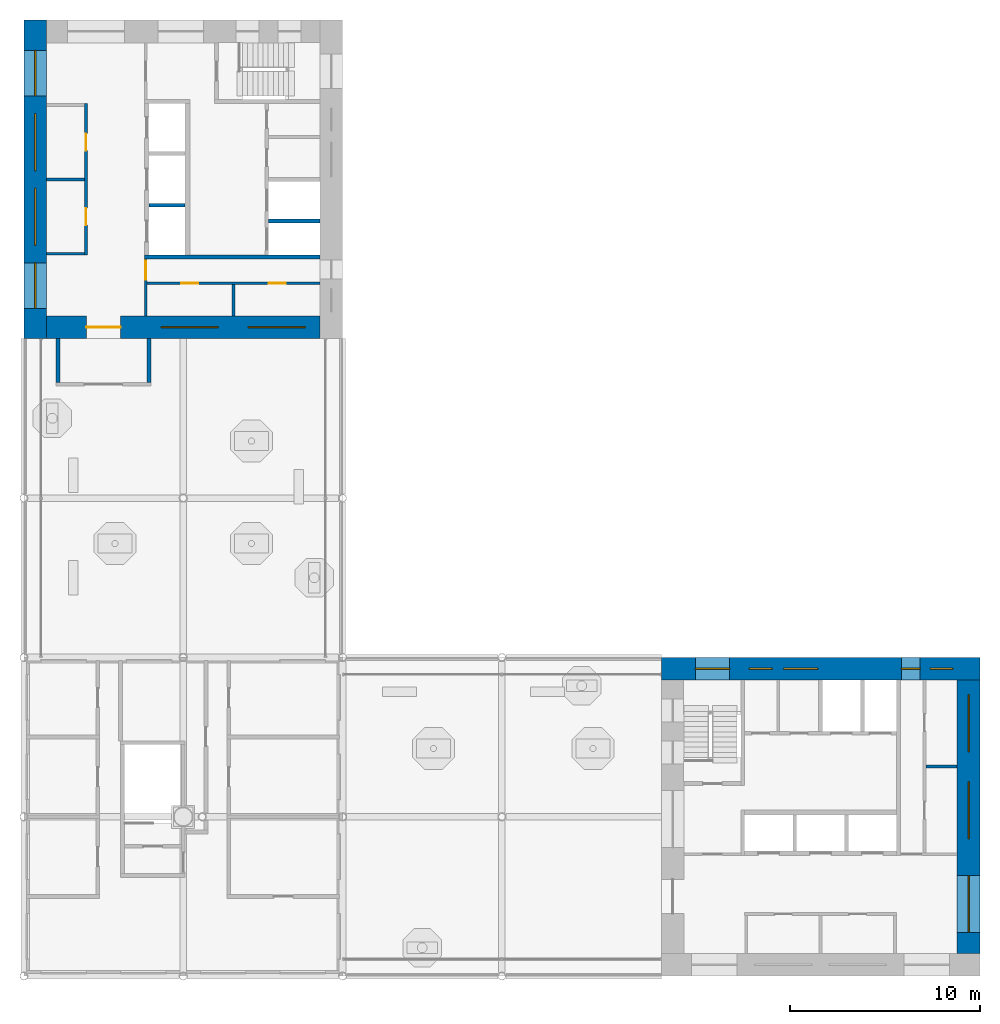
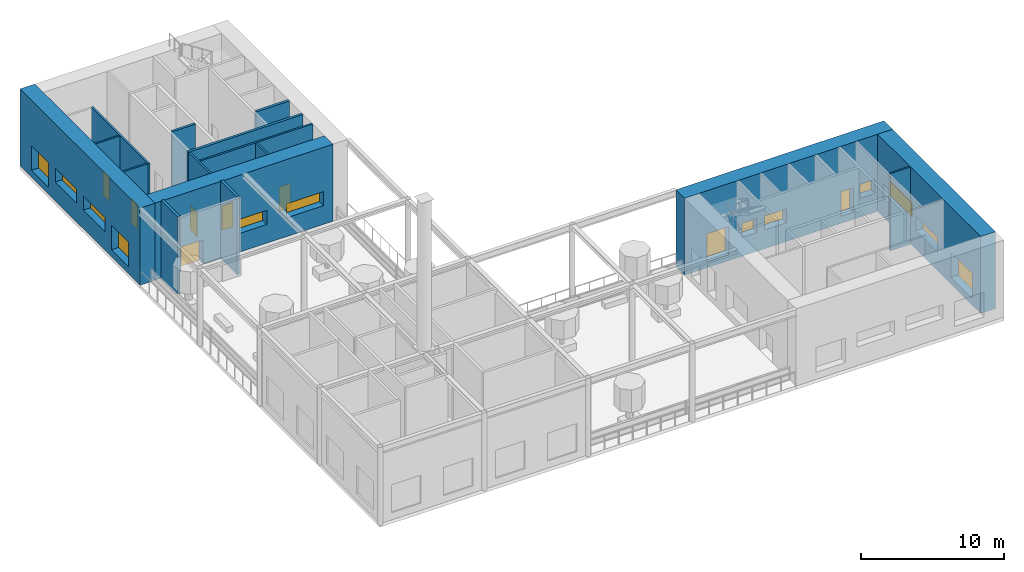
# One storey, part 10 of 15: 16 walls, 14 windows, 6 doors, 20 openings.
"""IFC4 building model written with IfcOpenShell, lengths in metres."""

import ifcopenshell
import ifcopenshell.guid

model = None  # the IFC model being written
_history = None  # IfcOwnerHistory: only IFC2X3 demands one
_inside = {}  # id of a spatial element -> (the spatial element, [elements in it])
_under = {}  # id of a project, library or spatial element -> (it, [spatial elements below it])
_declared = {}  # id of a project -> (the project, [libraries it declares])
_typed = {}  # id of a type object -> (the type object, [elements of that type])
_made_of = {}  # id of a material, layer set ... -> (it, [elements and type objects made of it])


def new_model(schema):
    """Start an empty IFC model of exactly this schema.

    Asked for "IFC4X3", IfcOpenShell would pick the latest addendum, in which some entities
    have other attributes; the version numbers below select the first issue.
    IFC2X3 requires an IfcOwnerHistory on every rooted entity: one is made here for all.
    """
    global model, _history
    if schema == "IFC4X3":
        model = ifcopenshell.file(schema_version=(4, 3, 0, 0))
    else:
        model = ifcopenshell.file(schema=schema)
    _inside.clear()
    _under.clear()
    _declared.clear()
    _typed.clear()
    _made_of.clear()
    _history = None
    if model.schema == "IFC2X3":
        org = make("IfcOrganization", Name="unknown")
        user = make(
            "IfcPersonAndOrganization",
            ThePerson=make("IfcPerson", FamilyName="unknown"),
            TheOrganization=org,
        )
        app = make(
            "IfcApplication",
            ApplicationDeveloper=org,
            Version="unknown",
            ApplicationFullName="unknown",
            ApplicationIdentifier="unknown",
        )
        _history = make(
            "IfcOwnerHistory",
            OwningUser=user,
            OwningApplication=app,
            ChangeAction="ADDED",
            CreationDate=0,
        )
    return model


def make(cls, **values):
    """One entity of the class cls with the attributes given. An attribute that is None is left unset."""
    return model.create_entity(
        cls, **{name: value for name, value in values.items() if value is not None}
    )


def rooted(cls, **values):
    """An entity with a GlobalId (a new one), such as an element, a storey or a relation."""
    return make(cls, GlobalId=ifcopenshell.guid.new(), OwnerHistory=_history, **values)


def si_unit(unit_type, name, prefix=None):
    """IfcSIUnit, for example si_unit("LENGTHUNIT", "METRE", prefix="MILLI")."""
    return make("IfcSIUnit", UnitType=unit_type, Prefix=prefix, Name=name)


def assignment(units):
    """IfcUnitAssignment: the units of a project."""
    return None if units is None else make("IfcUnitAssignment", Units=units)


def point(xyz):
    """IfcCartesianPoint."""
    return None if xyz is None else make("IfcCartesianPoint", Coordinates=xyz)


def direction(xyz):
    """IfcDirection."""
    return None if xyz is None else make("IfcDirection", DirectionRatios=xyz)


def frame(location, z_axis=None, x_axis=None):
    """IfcAxis2Placement3D, a coordinate frame: its origin and axes. An axis left out is left unset."""
    return make(
        "IfcAxis2Placement3D",
        Location=point(location),
        Axis=direction(z_axis),
        RefDirection=direction(x_axis),
    )


def frame_2d(location, x_axis=None):
    """IfcAxis2Placement2D, a coordinate frame in the plane: its origin and x axis."""
    return make(
        "IfcAxis2Placement2D", Location=point(location), RefDirection=direction(x_axis)
    )


def origin():
    """The frame at (0, 0, 0) with its axes left unset."""
    return frame((0.0, 0.0, 0.0))


def place(relative_to, where):
    """IfcLocalPlacement: puts the frame where relative to a parent placement (None: the world)."""
    return make(
        "IfcLocalPlacement", PlacementRelTo=relative_to, RelativePlacement=where
    )


def context(
    kind, dimensions, precision=None, world=None, true_north=None, identifier=None
):
    """IfcGeometricRepresentationContext, for example the 3D "Model" context."""
    return make(
        "IfcGeometricRepresentationContext",
        ContextIdentifier=identifier,
        ContextType=kind,
        CoordinateSpaceDimension=dimensions,
        Precision=precision,
        WorldCoordinateSystem=world,
        TrueNorth=true_north,
    )


def subcontext(parent, identifier, kind, view, scale=None):
    """IfcGeometricRepresentationSubContext, for example "Body" below "Model"."""
    return make(
        "IfcGeometricRepresentationSubContext",
        ContextIdentifier=identifier,
        ContextType=kind,
        ParentContext=parent,
        TargetScale=scale,
        TargetView=view,
    )


def project(units=None, contexts=None):
    """IfcProject with its units and contexts."""
    return rooted(
        "IfcProject",
        Name="project",
        RepresentationContexts=contexts,
        UnitsInContext=assignment(units),
    )


def spatial(cls, under=None, at=None, **own):
    """A site, building, storey or space (cls), placed at a placement, below another one or the project."""
    s = rooted(cls, ObjectPlacement=at, **own)
    if under is not None:
        _under.setdefault(under.id(), (under, []))[1].append(s)
    return s


def profile(cls, at=None, kind="AREA", **sizes):
    """A parametric profile (cls). Its sizes go by their IFC names, for example OverallWidth=200.0."""
    return make(cls, ProfileType=kind, Position=at, **sizes)


def rectangle(**sizes):
    """IfcRectangleProfileDef."""
    return profile("IfcRectangleProfileDef", **sizes)


def extrude(swept, where, along, depth):
    """IfcExtrudedAreaSolid: the profile swept, set in the frame where, extruded along a direction by depth."""
    return make(
        "IfcExtrudedAreaSolid",
        SweptArea=swept,
        Position=where,
        ExtrudedDirection=direction(along),
        Depth=depth,
    )


def shape(context_of_items, identifier, shape_type, items):
    """IfcShapeRepresentation: the items that make up one representation, for example the "Body"."""
    return make(
        "IfcShapeRepresentation",
        ContextOfItems=context_of_items,
        RepresentationIdentifier=identifier,
        RepresentationType=shape_type,
        Items=items,
    )


def material(Name=None, Category=None):
    """IfcMaterial."""
    return make("IfcMaterial", Name=Name, Category=Category)


def layer(
    of_material, thickness, ventilated=None, Name=None, Category=None, Priority=None
):
    """IfcMaterialLayer: one layer of a wall or slab, of a material (None: an air gap)."""
    return make(
        "IfcMaterialLayer",
        Material=of_material,
        LayerThickness=thickness,
        IsVentilated=ventilated,
        Name=Name,
        Category=Category,
        Priority=Priority,
    )


def layer_set(layers, Name=None):
    """IfcMaterialLayerSet."""
    return make("IfcMaterialLayerSet", MaterialLayers=layers, LayerSetName=Name)


def made_of(thing, what):
    """Note that an element or type object is made of a material, layer set ...; save() writes the relation."""
    if what is not None:
        _made_of.setdefault(what.id(), (what, []))[1].append(thing)
    return thing


def type_object(cls, material=None, **own):
    """A type object (cls), such as IfcWallType, which elements share."""
    return made_of(rooted(cls, **own), material)


def element(
    cls,
    number,
    at=None,
    inside=None,
    cuts=None,
    type_object=None,
    material=None,
    context=None,
    identifier="Body",
    shape_type=None,
    held_by="IfcProductDefinitionShape",
    body=None,
    shapes=None,
    **own,
):
    """One element of the class cls, such as IfcWall. Its Tag is "e" and its number.

    at: its placement. inside: the storey or other place that contains it. cuts: it is an
    opening in that element (IfcRelVoidsElement). A single representation is given by context,
    identifier, shape_type and body (its items); several are given by shapes. held_by: the class
    of the entity that holds the representations. save() writes the other relations.
    """
    e = rooted(cls, Tag="e%d" % number, ObjectPlacement=at, **own)
    if body is not None:
        shapes = [shape(context, identifier, shape_type, body)]
    if shapes is not None:
        e.Representation = make(held_by, Representations=shapes)
    if inside is not None:
        _inside.setdefault(inside.id(), (inside, []))[1].append(e)
    if cuts is not None:
        rooted(
            "IfcRelVoidsElement", RelatingBuildingElement=cuts, RelatedOpeningElement=e
        )
    if type_object is not None:
        _typed.setdefault(type_object.id(), (type_object, []))[1].append(e)
    return made_of(e, material)


def fill(opening, filler):
    """IfcRelFillsElement: the door or window that sits in an opening."""
    return rooted(
        "IfcRelFillsElement",
        RelatingOpeningElement=opening,
        RelatedBuildingElement=filler,
    )


def aggregate(whole, parts):
    """IfcRelAggregates: a whole, such as a stair, and the parts it consists of."""
    return rooted("IfcRelAggregates", RelatingObject=whole, RelatedObjects=parts)


def save(model, path):
    """Write the relations noted so far, then the file.

    IfcRelAggregates (storeys below a building ...), IfcRelContainedInSpatialStructure (elements
    in a storey), IfcRelDefinesByType, IfcRelAssociatesMaterial and IfcRelDeclares: one each for
    every whole, place, type object, material and project.
    """
    for whole, parts in _under.values():
        aggregate(whole, parts)
    for where, things in _inside.values():
        rooted(
            "IfcRelContainedInSpatialStructure",
            RelatedElements=things,
            RelatingStructure=where,
        )
    for kind, things in _typed.values():
        rooted("IfcRelDefinesByType", RelatedObjects=things, RelatingType=kind)
    for what, things in _made_of.values():
        rooted("IfcRelAssociatesMaterial", RelatedObjects=things, RelatingMaterial=what)
    for by, libraries in _declared.values():
        rooted("IfcRelDeclares", RelatingContext=by, RelatedDefinitions=libraries)
    model.write(path)


model = new_model("IFC4")

# Units and contexts
model_context = context("Model", 3, precision=1e-05, world=origin(), true_north=direction((0.0, 1.0)))
body_context = subcontext(model_context, "Body", "Model", "MODEL_VIEW")
ifc_project = project(units=[si_unit("LENGTHUNIT", "METRE"), si_unit("AREAUNIT", "SQUARE_METRE"), si_unit("VOLUMEUNIT", "CUBIC_METRE"), si_unit("PLANEANGLEUNIT", "RADIAN"), si_unit("MASSUNIT", "GRAM", prefix="KILO")], contexts=[model_context])

# Site, building, storey
site_placement = place(None, origin())
site = spatial("IfcSite", under=ifc_project, at=site_placement, CompositionType="ELEMENT")
building_placement = place(site_placement, origin())
building = spatial("IfcBuilding", under=site, at=building_placement, Name="Vermilion Gate Residences", CompositionType="ELEMENT")
storey_placement = place(building_placement, frame((0.0, 0.0, 277.199951171875)))
storey = spatial("IfcBuildingStorey", under=building, at=storey_placement, Name="L73", CompositionType="ELEMENT", Elevation=277.199951171875)

# Walls
ifc_material_1 = material(Name="Masonry blockwork", Category="masonry")
ifc_layer_1 = layer(ifc_material_1, 0.14990234375)
ifc_layer_set_1 = layer_set([ifc_layer_1], Name="BLOCKWORK PARTITION 150 EI 120")
wall_type_1 = type_object("IfcWallType", Name="BLOCKWORK PARTITION 150 EI 120", PredefinedType="PARTITIONING", material=ifc_layer_set_1)
wall_1_placement = place(storey_placement, frame((55.949951171875, 19.449951171875, 0.0), z_axis=(0.0, 0.0, 1.0), x_axis=(1.0, 0.0, 0.0)))
element("IfcWall", 1, at=wall_1_placement, inside=storey, type_object=wall_type_1, Name="Core room partition A73-ES-P0", PredefinedType="PARTITIONING", context=body_context, shape_type="SweptSolid", body=[
    extrude(rectangle(XDim=1.650146484375, YDim=0.14990234375, at=frame_2d((0.8251953125, 0.0))), origin(), (0.0, 0.0, 1.0), 6.580078125),
])
for number, where, z_axis, x_axis, name in (
    (2, (9.60009765625, 46.47509765625, 0.0), (0.0, 0.0, 1.0), (1.0, 0.0, 0.0), "Core room partition B73-RW-E"),
    (3, (9.60009765625, 50.39990234375, 0.0), (0.0, 0.0, 1.0), (1.0, 0.0, 0.0), "Core room partition B73-SR-P0"),
):
    element("IfcWall", number, at=place(storey_placement, frame(where, z_axis=z_axis, x_axis=x_axis)), inside=storey, type_object=wall_type_1, Name=name, PredefinedType="PARTITIONING", context=body_context, shape_type="SweptSolid", body=[
        extrude(rectangle(XDim=2.0, YDim=0.14990234375, at=frame_2d((1.0, 0.0))), origin(), (0.0, 0.0, 1.0), 6.580078125),
    ])

# Wall, openings, doors
wall_2_placement = place(storey_placement, frame((11.675048828125, 54.39990234375, 0.0), z_axis=(0.0, 0.0, 1.0), x_axis=(0.0, -1.0, 0.0)))
wall_2 = element("IfcWall", 4, at=wall_2_placement, inside=storey, type_object=wall_type_1, Name="Core room partition B73-LR-F", PredefinedType="PARTITIONING", context=body_context, shape_type="SweptSolid", body=[
    extrude(rectangle(XDim=8.0, YDim=0.14990234375, at=frame_2d((4.0, 0.0))), origin(), (0.0, 0.0, 1.0), 6.580078125),
])
opening_1_placement = place(wall_2_placement, frame((1.58740234375, 0.0, 0.0)))
opening_1 = element("IfcOpeningElement", 5, at=opening_1_placement, cuts=wall_2, Name="Opening DK73102", PredefinedType="OPENING", context=body_context, shape_type="SweptSolid", body=[
    extrude(rectangle(XDim=0.89990234375, YDim=2.10009765625, at=frame_2d((0.449951171875, 1.050048828125))), frame((0.0, 0.0849609375, 0.0), z_axis=(0.0, -1.0, 0.0), x_axis=(1.0, 0.0, 0.0)), (0.0, 0.0, 1.0), 0.169921875),
])
opening_2_placement = place(wall_2_placement, frame((5.512451171875, 0.0, 0.0)))
opening_2 = element("IfcOpeningElement", 6, at=opening_2_placement, cuts=wall_2, Name="Opening DK73103", PredefinedType="OPENING", context=body_context, shape_type="SweptSolid", body=[
    extrude(rectangle(XDim=0.89990234375, YDim=2.10009765625, at=frame_2d((0.449951171875, 1.050048828125))), frame((0.0, 0.0849609375, 0.0), z_axis=(0.0, -1.0, 0.0), x_axis=(1.0, 0.0, 0.0)), (0.0, 0.0, 1.0), 0.169921875),
])
ifc_material_2 = material(Name="Steel", Category="steel")
door_type_1 = type_object("IfcDoorType", Name="SERVICE ROOM DOOR FD60 900 X 2100", OperationType="SINGLE_SWING_LEFT", PredefinedType="DOOR", material=ifc_material_2)
door_1_placement = place(opening_1_placement, frame((0.89990234375, 0.0, 0.0), z_axis=(0.0, 0.0, 1.0), x_axis=(-1.0, 0.0, 0.0)))
door_1 = element("IfcDoor", 7, at=door_1_placement, inside=storey, type_object=door_type_1, Name="Housekeeping store B73", OperationType="SINGLE_SWING_RIGHT", OverallHeight=2.10009765625, OverallWidth=0.89990234375, PredefinedType="DOOR", context=body_context, shape_type="SweptSolid", body=[
    extrude(rectangle(XDim=0.89990234375, YDim=2.10009765625, at=frame_2d((0.449951171875, 1.050048828125))), frame((0.0, 0.02490234375, 0.0), z_axis=(0.0, -1.0, 0.0), x_axis=(1.0, 0.0, 0.0)), (0.0, 0.0, 1.0), 0.050048828125),
])
fill(opening_1, door_1)
door_2_placement = place(opening_2_placement, frame((0.89990234375, 0.0, 0.0), z_axis=(0.0, 0.0, 1.0), x_axis=(-1.0, 0.0, 0.0)))
door_2 = element("IfcDoor", 8, at=door_2_placement, inside=storey, type_object=door_type_1, Name="Fire equipment store B73", OperationType="SINGLE_SWING_LEFT", OverallHeight=2.10009765625, OverallWidth=0.89990234375, PredefinedType="DOOR", context=body_context, shape_type="SweptSolid", body=[
    extrude(rectangle(XDim=0.89990234375, YDim=2.10009765625, at=frame_2d((0.449951171875, 1.050048828125))), frame((0.0, 0.02490234375, 0.0), z_axis=(0.0, -1.0, 0.0), x_axis=(1.0, 0.0, 0.0)), (0.0, 0.0, 1.0), 0.050048828125),
])
fill(opening_2, door_2)

# Wall, opening, door
wall_3_placement = place(storey_placement, frame((14.824951171875, 46.199951171875, 0.0), z_axis=(0.0, 0.0, 1.0), x_axis=(0.0, -1.0, 0.0)))
wall_3 = element("IfcWall", 9, at=wall_3_placement, inside=storey, type_object=wall_type_1, Name="Core room partition B73-ES-S", PredefinedType="PARTITIONING", context=body_context, shape_type="SweptSolid", body=[
    extrude(rectangle(XDim=3.0, YDim=0.14990234375, at=frame_2d((1.5, 0.0))), origin(), (0.0, 0.0, 1.0), 6.580078125),
])
opening_3_placement = place(wall_3_placement, frame((0.10009765625, 0.0, 0.0)))
opening_3 = element("IfcOpeningElement", 10, at=opening_3_placement, cuts=wall_3, Name="Opening DK73113", PredefinedType="OPENING", context=body_context, shape_type="SweptSolid", body=[
    extrude(rectangle(XDim=1.0, YDim=2.10009765625, at=frame_2d((0.5, 1.050048828125))), frame((0.0, 0.0849609375, 0.0), z_axis=(0.0, -1.0, 0.0), x_axis=(1.0, 0.0, 0.0)), (0.0, 0.0, 1.0), 0.169921875),
])
ifc_material_3 = material(Name="Steel", Category="steel")
door_type_2 = type_object("IfcDoorType", Name="FIRE DOOR FD60 1000 X 2100", OperationType="SINGLE_SWING_LEFT", PredefinedType="DOOR", material=ifc_material_3)
door_3_placement = place(opening_3_placement, frame((1.0, 0.0, 0.0), z_axis=(0.0, 0.0, 1.0), x_axis=(-1.0, 0.0, 0.0)))
door_3 = element("IfcDoor", 11, at=door_3_placement, inside=storey, type_object=door_type_2, Name="Service corridor door B73", OperationType="SINGLE_SWING_LEFT", OverallHeight=2.10009765625, OverallWidth=1.0, PredefinedType="DOOR", context=body_context, shape_type="SweptSolid", body=[
    extrude(rectangle(XDim=1.0, YDim=2.10009765625, at=frame_2d((0.5, 1.050048828125))), frame((0.0, 0.02490234375, 0.0), z_axis=(0.0, -1.0, 0.0), x_axis=(1.0, 0.0, 0.0)), (0.0, 0.0, 1.0), 0.050048828125),
])
fill(opening_3, door_3)

# Wall
wall_4_placement = place(storey_placement, frame((19.449951171875, 44.85009765625, 0.0), z_axis=(0.0, 0.0, 1.0), x_axis=(0.0, -1.0, 0.0)))
element("IfcWall", 12, at=wall_4_placement, inside=storey, type_object=wall_type_1, Name="Core room partition B73-ES-P0", PredefinedType="PARTITIONING", context=body_context, shape_type="SweptSolid", body=[
    extrude(rectangle(XDim=1.650146484375, YDim=0.14990234375, at=frame_2d((0.8251953125, 0.0))), origin(), (0.0, 0.0, 1.0), 6.580078125),
])

# Wall, openings, doors
wall_5_placement = place(storey_placement, frame((14.89990234375, 44.925048828125, 0.0), z_axis=(0.0, 0.0, 1.0), x_axis=(1.0, 0.0, 0.0)))
wall_5 = element("IfcWall", 13, at=wall_5_placement, inside=storey, type_object=wall_type_1, Name="Core room partition B73-ES-W", PredefinedType="PARTITIONING", context=body_context, shape_type="SweptSolid", body=[
    extrude(rectangle(XDim=9.10009765625, YDim=0.14990234375, at=frame_2d((4.550048828125, 0.0))), origin(), (0.0, 0.0, 1.0), 6.580078125),
])
opening_4_placement = place(wall_5_placement, frame((1.78759765625, 0.0, 0.0)))
opening_4 = element("IfcOpeningElement", 14, at=opening_4_placement, cuts=wall_5, Name="Opening DK73114", PredefinedType="OPENING", context=body_context, shape_type="SweptSolid", body=[
    extrude(rectangle(XDim=0.89990234375, YDim=2.10009765625, at=frame_2d((0.449951171875, 1.050048828125))), frame((0.0, 0.0849609375, 0.0), z_axis=(0.0, -1.0, 0.0), x_axis=(1.0, 0.0, 0.0)), (0.0, 0.0, 1.0), 0.169921875),
])
opening_5_placement = place(wall_5_placement, frame((6.41259765625, 0.0, 0.0)))
opening_5 = element("IfcOpeningElement", 15, at=opening_5_placement, cuts=wall_5, Name="Opening DK73115", PredefinedType="OPENING", context=body_context, shape_type="SweptSolid", body=[
    extrude(rectangle(XDim=0.89990234375, YDim=2.10009765625, at=frame_2d((0.449951171875, 1.050048828125))), frame((0.0, 0.0849609375, 0.0), z_axis=(0.0, -1.0, 0.0), x_axis=(1.0, 0.0, 0.0)), (0.0, 0.0, 1.0), 0.169921875),
])
door_4_placement = place(opening_4_placement, frame((0.89990234375, 0.0, 0.0), z_axis=(0.0, 0.0, 1.0), x_axis=(-1.0, 0.0, 0.0)))
door_4 = element("IfcDoor", 16, at=door_4_placement, inside=storey, type_object=door_type_1, Name="Electrical room B73", OperationType="SINGLE_SWING_RIGHT", OverallHeight=2.10009765625, OverallWidth=0.89990234375, PredefinedType="DOOR", context=body_context, shape_type="SweptSolid", body=[
    extrude(rectangle(XDim=0.89990234375, YDim=2.10009765625, at=frame_2d((0.449951171875, 1.050048828125))), frame((0.0, 0.02490234375, 0.0), z_axis=(0.0, -1.0, 0.0), x_axis=(1.0, 0.0, 0.0)), (0.0, 0.0, 1.0), 0.050048828125),
])
fill(opening_4, door_4)
door_5_placement = place(opening_5_placement, frame((0.89990234375, 0.0, 0.0), z_axis=(0.0, 0.0, 1.0), x_axis=(-1.0, 0.0, 0.0)))
door_5 = element("IfcDoor", 17, at=door_5_placement, inside=storey, type_object=door_type_1, Name="Storage room B73", OperationType="SINGLE_SWING_RIGHT", OverallHeight=2.10009765625, OverallWidth=0.89990234375, PredefinedType="DOOR", context=body_context, shape_type="SweptSolid", body=[
    extrude(rectangle(XDim=0.89990234375, YDim=2.10009765625, at=frame_2d((0.449951171875, 1.050048828125))), frame((0.0, 0.02490234375, 0.0), z_axis=(0.0, -1.0, 0.0), x_axis=(1.0, 0.0, 0.0)), (0.0, 0.0, 1.0), 0.050048828125),
])
fill(opening_5, door_5)

# Walls
ifc_material_4 = material(Name="Concrete blockwork", Category="masonry")
ifc_layer_2 = layer(ifc_material_4, 0.199951171875)
ifc_layer_set_2 = layer_set([ifc_layer_2], Name="FIRE WALL 200 EI 120 (AMENITY)")
wall_type_2 = type_object("IfcWallType", Name="FIRE WALL 200 EI 120 (AMENITY)", PredefinedType="PARTITIONING", material=ifc_layer_set_2)
for number, where, z_axis, x_axis, name in (
    (18, (10.199951171875, 39.699951171875, 0.0), (0.0, 0.0, 1.0), (0.0, 1.0, 0.0), "Fire-resisting wall 4"),
    (19, (15.0, 39.699951171875, 0.0), (0.0, 0.0, 1.0), (0.0, 1.0, 0.0), "Fire-resisting wall 10"),
):
    element("IfcWall", number, at=place(storey_placement, frame(where, z_axis=z_axis, x_axis=x_axis)), inside=storey, type_object=wall_type_2, Name=name, PredefinedType="PARTITIONING", context=body_context, shape_type="SweptSolid", body=[
        extrude(rectangle(XDim=2.300048828125, YDim=0.199951171875, at=frame_2d((1.14990234375, 0.0))), origin(), (0.0, 0.0, 1.0), 6.650146484375),
    ])
ifc_material_5 = material(Name="Concrete C60", Category="concrete")
ifc_layer_3 = layer(ifc_material_5, 0.199951171875)
ifc_layer_set_3 = layer_set([ifc_layer_3], Name="RC CORE INTERNAL WALL 200 C60")
wall_type_3 = type_object("IfcWallType", Name="RC CORE INTERNAL WALL 200 C60", PredefinedType="SHEAR", material=ifc_layer_set_3)
wall_6_placement = place(storey_placement, frame((15.0, 49.033447265625, 0.0), z_axis=(0.0, 0.0, 1.0), x_axis=(1.0, 0.0, 0.0)))
element("IfcWall", 20, at=wall_6_placement, inside=storey, type_object=wall_type_3, Name="Core internal wall B73-HR-D2", PredefinedType="SHEAR", context=body_context, shape_type="SweptSolid", body=[
    extrude(rectangle(XDim=1.89990234375, YDim=0.199951171875, at=frame_2d((0.949951171875, 0.0))), origin(), (0.0, 0.0, 1.0), 6.580078125),
])
wall_7_placement = place(storey_placement, frame((21.300048828125, 48.199951171875, 0.0), z_axis=(0.0, 0.0, 1.0), x_axis=(1.0, 0.0, 0.0)))
element("IfcWall", 21, at=wall_7_placement, inside=storey, type_object=wall_type_3, Name="Core internal wall B73-FF-D1", PredefinedType="SHEAR", context=body_context, shape_type="SweptSolid", body=[
    extrude(rectangle(XDim=2.699951171875, YDim=0.199951171875, at=frame_2d((1.35009765625, 0.0))), origin(), (0.0, 0.0, 1.0), 6.580078125),
])
wall_8_placement = place(storey_placement, frame((14.75, 46.300048828125, 0.0), z_axis=(0.0, 0.0, 1.0), x_axis=(1.0, 0.0, 0.0)))
element("IfcWall", 22, at=wall_8_placement, inside=storey, type_object=wall_type_3, Name="Core internal wall B73-EDIV", PredefinedType="SHEAR", context=body_context, shape_type="SweptSolid", body=[
    extrude(rectangle(XDim=9.25, YDim=0.199951171875, at=frame_2d((4.625, 0.0))), origin(), (0.0, 0.0, 1.0), 6.580078125),
])

# Wall, openings, windows
ifc_material_6 = material(Name="Concrete C50 red-oxide pigmented", Category="concrete")
ifc_layer_4 = layer(ifc_material_6, 1.199951171875)
ifc_layer_set_4 = layer_set([ifc_layer_4], Name="RC CORE WALL 1200 C50 RED OXIDE")
wall_type_4 = type_object("IfcWallType", Name="RC CORE WALL 1200 C50 RED OXIDE", PredefinedType="SHEAR", material=ifc_layer_set_4)
wall_9_placement = place(storey_placement, frame((42.0, 24.60009765625, 0.0), z_axis=(0.0, 0.0, 1.0), x_axis=(1.0, 0.0, 0.0)))
wall_9 = element("IfcWall", 23, at=wall_9_placement, inside=storey, type_object=wall_type_4, Name="Core wall A73-OUT-B1", PredefinedType="SHEAR", context=body_context, shape_type="SweptSolid", body=[
    extrude(rectangle(XDim=16.800048828125, YDim=1.199951171875, at=frame_2d((8.39990234375, 0.0))), origin(), (0.0, 0.0, 1.0), 6.580078125),
])
opening_6_placement = place(wall_9_placement, frame((1.800048828125, 0.0, 0.5)))
opening_6 = element("IfcOpeningElement", 24, at=opening_6_placement, cuts=wall_9, Name="Opening WKA7305", PredefinedType="OPENING", context=body_context, shape_type="SweptSolid", body=[
    extrude(rectangle(XDim=1.800048828125, YDim=2.39990234375, at=frame_2d((0.89990234375, 1.199951171875))), frame((0.0, 0.60986328125, 0.0), z_axis=(0.0, -1.0, 0.0), x_axis=(1.0, 0.0, 0.0)), (0.0, 0.0, 1.0), 1.219970703125),
])
opening_7_placement = place(wall_9_placement, frame((4.643798828125, 0.0, 1.60009765625)))
opening_7 = element("IfcOpeningElement", 25, at=opening_7_placement, cuts=wall_9, Name="Opening WKA7306", PredefinedType="OPENING", context=body_context, shape_type="SweptSolid", body=[
    extrude(rectangle(XDim=1.199951171875, YDim=1.199951171875, at=frame_2d((0.60009765625, 0.60009765625))), frame((0.0, 0.60986328125, 0.0), z_axis=(0.0, -1.0, 0.0), x_axis=(1.0, 0.0, 0.0)), (0.0, 0.0, 1.0), 1.219970703125),
])
opening_8_placement = place(wall_9_placement, frame((6.449951171875, 0.0, 1.60009765625)))
opening_8 = element("IfcOpeningElement", 26, at=opening_8_placement, cuts=wall_9, Name="Opening WKA7307", PredefinedType="OPENING", context=body_context, shape_type="SweptSolid", body=[
    extrude(rectangle(XDim=1.800048828125, YDim=1.199951171875, at=frame_2d((0.89990234375, 0.60009765625))), frame((0.0, 0.60986328125, 0.0), z_axis=(0.0, -1.0, 0.0), x_axis=(1.0, 0.0, 0.0)), (0.0, 0.0, 1.0), 1.219970703125),
])
opening_9_placement = place(wall_9_placement, frame((12.64990234375, 0.0, 0.60009765625)))
opening_9 = element("IfcOpeningElement", 27, at=opening_9_placement, cuts=wall_9, Name="Opening WKA7308", PredefinedType="OPENING", context=body_context, shape_type="SweptSolid", body=[
    extrude(rectangle(XDim=1.0, YDim=2.10009765625, at=frame_2d((0.5, 1.050048828125))), frame((0.0, 0.60986328125, 0.0), z_axis=(0.0, -1.0, 0.0), x_axis=(1.0, 0.0, 0.0)), (0.0, 0.0, 1.0), 1.219970703125),
])
opening_10_placement = place(wall_9_placement, frame((14.175048828125, 0.0, 1.60009765625)))
opening_10 = element("IfcOpeningElement", 28, at=opening_10_placement, cuts=wall_9, Name="Opening WKA7309", PredefinedType="OPENING", context=body_context, shape_type="SweptSolid", body=[
    extrude(rectangle(XDim=1.199951171875, YDim=1.199951171875, at=frame_2d((0.60009765625, 0.60009765625))), frame((0.0, 0.60986328125, 0.0), z_axis=(0.0, -1.0, 0.0), x_axis=(1.0, 0.0, 0.0)), (0.0, 0.0, 1.0), 1.219970703125),
])
ifc_material_7 = material(Name="Aluminium and clear glass", Category="aluminium")
window_type_1 = type_object("IfcWindowType", Name="CORE CORRIDOR WINDOW 1000 X 2100", PartitioningType="SINGLE_PANEL", PredefinedType="WINDOW", material=ifc_material_7)
window_1_placement = place(opening_9_placement, origin())
window_1 = element("IfcWindow", 29, at=window_1_placement, inside=storey, type_object=window_type_1, Name="Core corridor window", OverallHeight=2.10009765625, OverallWidth=1.0, PartitioningType="SINGLE_PANEL", PredefinedType="WINDOW", context=body_context, shape_type="SweptSolid", body=[
    extrude(rectangle(XDim=1.0, YDim=2.10009765625, at=frame_2d((0.5, 1.050048828125))), frame((0.0, 0.030029296875, 0.0), z_axis=(0.0, -1.0, 0.0), x_axis=(1.0, 0.0, 0.0)), (0.0, 0.0, 1.0), 0.06005859375),
])
fill(opening_9, window_1)
ifc_material_8 = material(Name="Aluminium frame with louvre blades", Category="aluminium")
window_type_2 = type_object("IfcWindowType", Name="CORE LOUVRE 1200 X 1200", PartitioningType="SINGLE_PANEL", PredefinedType="WINDOW", material=ifc_material_8)
window_2_placement = place(opening_7_placement, origin())
window_2 = element("IfcWindow", 30, at=window_2_placement, inside=storey, type_object=window_type_2, Name="Core louvre", OverallHeight=1.199951171875, OverallWidth=1.199951171875, PartitioningType="SINGLE_PANEL", PredefinedType="WINDOW", context=body_context, shape_type="SweptSolid", body=[
    extrude(rectangle(XDim=1.199951171875, YDim=1.199951171875, at=frame_2d((0.60009765625, 0.60009765625))), frame((0.0, 0.030029296875, 0.0), z_axis=(0.0, -1.0, 0.0), x_axis=(1.0, 0.0, 0.0)), (0.0, 0.0, 1.0), 0.06005859375),
])
fill(opening_7, window_2)
window_3_placement = place(opening_10_placement, origin())
window_3 = element("IfcWindow", 31, at=window_3_placement, inside=storey, type_object=window_type_2, Name="Core louvre", OverallHeight=1.199951171875, OverallWidth=1.199951171875, PartitioningType="SINGLE_PANEL", PredefinedType="WINDOW", context=body_context, shape_type="SweptSolid", body=[
    extrude(rectangle(XDim=1.199951171875, YDim=1.199951171875, at=frame_2d((0.60009765625, 0.60009765625))), frame((0.0, 0.030029296875, 0.0), z_axis=(0.0, -1.0, 0.0), x_axis=(1.0, 0.0, 0.0)), (0.0, 0.0, 1.0), 0.06005859375),
])
fill(opening_10, window_3)
ifc_material_9 = material(Name="Aluminium frame with louvre blades", Category="aluminium")
window_type_3 = type_object("IfcWindowType", Name="CORE LOUVRE 1800 X 1200", PartitioningType="SINGLE_PANEL", PredefinedType="WINDOW", material=ifc_material_9)
window_4_placement = place(opening_8_placement, origin())
window_4 = element("IfcWindow", 32, at=window_4_placement, inside=storey, type_object=window_type_3, Name="Core louvre", OverallHeight=1.199951171875, OverallWidth=1.800048828125, PartitioningType="SINGLE_PANEL", PredefinedType="WINDOW", context=body_context, shape_type="SweptSolid", body=[
    extrude(rectangle(XDim=1.800048828125, YDim=1.199951171875, at=frame_2d((0.89990234375, 0.60009765625))), frame((0.0, 0.030029296875, 0.0), z_axis=(0.0, -1.0, 0.0), x_axis=(1.0, 0.0, 0.0)), (0.0, 0.0, 1.0), 0.06005859375),
])
fill(opening_8, window_4)
ifc_material_10 = material(Name="Aluminium and clear glass", Category="aluminium")
window_type_4 = type_object("IfcWindowType", Name="CORE STAIR WINDOW 1800 X 2400", PartitioningType="SINGLE_PANEL", PredefinedType="WINDOW", material=ifc_material_10)
window_5_placement = place(opening_6_placement, origin())
window_5 = element("IfcWindow", 33, at=window_5_placement, inside=storey, type_object=window_type_4, Name="Core stair window", OverallHeight=2.39990234375, OverallWidth=1.800048828125, PartitioningType="SINGLE_PANEL", PredefinedType="WINDOW", context=body_context, shape_type="SweptSolid", body=[
    extrude(rectangle(XDim=1.800048828125, YDim=2.39990234375, at=frame_2d((0.89990234375, 1.199951171875))), frame((0.0, 0.030029296875, 0.0), z_axis=(0.0, -1.0, 0.0), x_axis=(1.0, 0.0, 0.0)), (0.0, 0.0, 1.0), 0.06005859375),
])
fill(opening_6, window_5)

wall_10_placement = place(storey_placement, frame((58.199951171875, 9.60009765625, 0.0), z_axis=(0.0, 0.0, 1.0), x_axis=(0.0, 1.0, 0.0)))
wall_10 = element("IfcWall", 34, at=wall_10_placement, inside=storey, type_object=wall_type_4, Name="Core wall A73-OUT-BK", PredefinedType="SHEAR", context=body_context, shape_type="SweptSolid", body=[
    extrude(rectangle(XDim=14.39990234375, YDim=1.199951171875, at=frame_2d((7.199951171875, 0.0))), origin(), (0.0, 0.0, 1.0), 6.580078125),
])
opening_11_placement = place(wall_10_placement, frame((1.10498046875, 0.0, 0.60009765625)))
opening_11 = element("IfcOpeningElement", 35, at=opening_11_placement, cuts=wall_10, Name="Opening WKA7313", PredefinedType="OPENING", context=body_context, shape_type="SweptSolid", body=[
    extrude(rectangle(XDim=3.0, YDim=2.10009765625, at=frame_2d((1.5, 1.050048828125))), frame((0.0, 0.60986328125, 0.0), z_axis=(0.0, -1.0, 0.0), x_axis=(1.0, 0.0, 0.0)), (0.0, 0.0, 1.0), 1.219970703125),
])
opening_12_placement = place(wall_10_placement, frame((6.03759765625, 0.0, 1.60009765625)))
opening_12 = element("IfcOpeningElement", 36, at=opening_12_placement, cuts=wall_10, Name="Opening WKA7314", PredefinedType="OPENING", context=body_context, shape_type="SweptSolid", body=[
    extrude(rectangle(XDim=3.0, YDim=1.199951171875, at=frame_2d((1.5, 0.60009765625))), frame((0.0, 0.60986328125, 0.0), z_axis=(0.0, -1.0, 0.0), x_axis=(1.0, 0.0, 0.0)), (0.0, 0.0, 1.0), 1.219970703125),
])
opening_13_placement = place(wall_10_placement, frame((10.632568359375, 0.0, 1.60009765625)))
opening_13 = element("IfcOpeningElement", 37, at=opening_13_placement, cuts=wall_10, Name="Opening WKA7315", PredefinedType="OPENING", context=body_context, shape_type="SweptSolid", body=[
    extrude(rectangle(XDim=3.0, YDim=1.199951171875, at=frame_2d((1.5, 0.60009765625))), frame((0.0, 0.60986328125, 0.0), z_axis=(0.0, -1.0, 0.0), x_axis=(1.0, 0.0, 0.0)), (0.0, 0.0, 1.0), 1.219970703125),
])
ifc_material_11 = material(Name="Aluminium and clear glass", Category="aluminium")
window_type_5 = type_object("IfcWindowType", Name="CORE LOBBY WINDOW 3000 X 2100", PartitioningType="SINGLE_PANEL", PredefinedType="WINDOW", material=ifc_material_11)
window_6_placement = place(opening_11_placement, origin())
window_6 = element("IfcWindow", 38, at=window_6_placement, inside=storey, type_object=window_type_5, Name="Core lobby window", OverallHeight=2.10009765625, OverallWidth=3.0, PartitioningType="SINGLE_PANEL", PredefinedType="WINDOW", context=body_context, shape_type="SweptSolid", body=[
    extrude(rectangle(XDim=3.0, YDim=2.10009765625, at=frame_2d((1.5, 1.050048828125))), frame((0.0, 0.030029296875, 0.0), z_axis=(0.0, -1.0, 0.0), x_axis=(1.0, 0.0, 0.0)), (0.0, 0.0, 1.0), 0.06005859375),
])
fill(opening_11, window_6)
ifc_material_12 = material(Name="Aluminium frame with louvre blades", Category="aluminium")
window_type_6 = type_object("IfcWindowType", Name="CORE LOUVRE 3000 X 1200", PartitioningType="SINGLE_PANEL", PredefinedType="WINDOW", material=ifc_material_12)
window_7_placement = place(opening_12_placement, origin())
window_7 = element("IfcWindow", 39, at=window_7_placement, inside=storey, type_object=window_type_6, Name="Core louvre", OverallHeight=1.199951171875, OverallWidth=3.0, PartitioningType="SINGLE_PANEL", PredefinedType="WINDOW", context=body_context, shape_type="SweptSolid", body=[
    extrude(rectangle(XDim=3.0, YDim=1.199951171875, at=frame_2d((1.5, 0.60009765625))), frame((0.0, 0.030029296875, 0.0), z_axis=(0.0, -1.0, 0.0), x_axis=(1.0, 0.0, 0.0)), (0.0, 0.0, 1.0), 0.06005859375),
])
fill(opening_12, window_7)
window_8_placement = place(opening_13_placement, origin())
window_8 = element("IfcWindow", 40, at=window_8_placement, inside=storey, type_object=window_type_6, Name="Core louvre", OverallHeight=1.199951171875, OverallWidth=3.0, PartitioningType="SINGLE_PANEL", PredefinedType="WINDOW", context=body_context, shape_type="SweptSolid", body=[
    extrude(rectangle(XDim=3.0, YDim=1.199951171875, at=frame_2d((1.5, 0.60009765625))), frame((0.0, 0.030029296875, 0.0), z_axis=(0.0, -1.0, 0.0), x_axis=(1.0, 0.0, 0.0)), (0.0, 0.0, 1.0), 0.06005859375),
])
fill(opening_13, window_8)

wall_11_placement = place(storey_placement, frame((9.0, 58.800048828125, 0.0), z_axis=(0.0, 0.0, 1.0), x_axis=(0.0, -1.0, 0.0)))
wall_11 = element("IfcWall", 41, at=wall_11_placement, inside=storey, type_object=wall_type_4, Name="Core wall B73-OUT-B0", PredefinedType="SHEAR", context=body_context, shape_type="SweptSolid", body=[
    extrude(rectangle(XDim=16.800048828125, YDim=1.199951171875, at=frame_2d((8.39990234375, 0.0))), origin(), (0.0, 0.0, 1.0), 6.580078125),
])
opening_14_placement = place(wall_11_placement, frame((1.60009765625, 0.0, 0.60009765625)))
opening_14 = element("IfcOpeningElement", 42, at=opening_14_placement, cuts=wall_11, Name="Opening WKB7301", PredefinedType="OPENING", context=body_context, shape_type="SweptSolid", body=[
    extrude(rectangle(XDim=2.39990234375, YDim=2.10009765625, at=frame_2d((1.199951171875, 1.050048828125))), frame((0.0, 0.60986328125, 0.0), z_axis=(0.0, -1.0, 0.0), x_axis=(1.0, 0.0, 0.0)), (0.0, 0.0, 1.0), 1.219970703125),
])
opening_15_placement = place(wall_11_placement, frame((4.9375, 0.0, 1.60009765625)))
opening_15 = element("IfcOpeningElement", 43, at=opening_15_placement, cuts=wall_11, Name="Opening WKB7302", PredefinedType="OPENING", context=body_context, shape_type="SweptSolid", body=[
    extrude(rectangle(XDim=3.0, YDim=1.199951171875, at=frame_2d((1.5, 0.60009765625))), frame((0.0, 0.60986328125, 0.0), z_axis=(0.0, -1.0, 0.0), x_axis=(1.0, 0.0, 0.0)), (0.0, 0.0, 1.0), 1.219970703125),
])
opening_16_placement = place(wall_11_placement, frame((8.862548828125, 0.0, 1.60009765625)))
opening_16 = element("IfcOpeningElement", 44, at=opening_16_placement, cuts=wall_11, Name="Opening WKB7303", PredefinedType="OPENING", context=body_context, shape_type="SweptSolid", body=[
    extrude(rectangle(XDim=3.0, YDim=1.199951171875, at=frame_2d((1.5, 0.60009765625))), frame((0.0, 0.60986328125, 0.0), z_axis=(0.0, -1.0, 0.0), x_axis=(1.0, 0.0, 0.0)), (0.0, 0.0, 1.0), 1.219970703125),
])
opening_17_placement = place(wall_11_placement, frame((12.800048828125, 0.0, 0.60009765625)))
opening_17 = element("IfcOpeningElement", 45, at=opening_17_placement, cuts=wall_11, Name="Opening WKB7304", PredefinedType="OPENING", context=body_context, shape_type="SweptSolid", body=[
    extrude(rectangle(XDim=2.39990234375, YDim=2.10009765625, at=frame_2d((1.199951171875, 1.050048828125))), frame((0.0, 0.60986328125, 0.0), z_axis=(0.0, -1.0, 0.0), x_axis=(1.0, 0.0, 0.0)), (0.0, 0.0, 1.0), 1.219970703125),
])
ifc_material_13 = material(Name="Aluminium and clear glass", Category="aluminium")
window_type_7 = type_object("IfcWindowType", Name="CORE LOBBY WINDOW 2400 X 2100", PartitioningType="SINGLE_PANEL", PredefinedType="WINDOW", material=ifc_material_13)
window_9_placement = place(opening_14_placement, origin())
window_9 = element("IfcWindow", 46, at=window_9_placement, inside=storey, type_object=window_type_7, Name="Core lobby window", OverallHeight=2.10009765625, OverallWidth=2.39990234375, PartitioningType="SINGLE_PANEL", PredefinedType="WINDOW", context=body_context, shape_type="SweptSolid", body=[
    extrude(rectangle(XDim=2.39990234375, YDim=2.10009765625, at=frame_2d((1.199951171875, 1.050048828125))), frame((0.0, 0.030029296875, 0.0), z_axis=(0.0, -1.0, 0.0), x_axis=(1.0, 0.0, 0.0)), (0.0, 0.0, 1.0), 0.06005859375),
])
fill(opening_14, window_9)
window_10_placement = place(opening_17_placement, origin())
window_10 = element("IfcWindow", 47, at=window_10_placement, inside=storey, type_object=window_type_7, Name="Core lobby window", OverallHeight=2.10009765625, OverallWidth=2.39990234375, PartitioningType="SINGLE_PANEL", PredefinedType="WINDOW", context=body_context, shape_type="SweptSolid", body=[
    extrude(rectangle(XDim=2.39990234375, YDim=2.10009765625, at=frame_2d((1.199951171875, 1.050048828125))), frame((0.0, 0.030029296875, 0.0), z_axis=(0.0, -1.0, 0.0), x_axis=(1.0, 0.0, 0.0)), (0.0, 0.0, 1.0), 0.06005859375),
])
fill(opening_17, window_10)
window_11_placement = place(opening_15_placement, origin())
window_11 = element("IfcWindow", 48, at=window_11_placement, inside=storey, type_object=window_type_6, Name="Core louvre", OverallHeight=1.199951171875, OverallWidth=3.0, PartitioningType="SINGLE_PANEL", PredefinedType="WINDOW", context=body_context, shape_type="SweptSolid", body=[
    extrude(rectangle(XDim=3.0, YDim=1.199951171875, at=frame_2d((1.5, 0.60009765625))), frame((0.0, 0.030029296875, 0.0), z_axis=(0.0, -1.0, 0.0), x_axis=(1.0, 0.0, 0.0)), (0.0, 0.0, 1.0), 0.06005859375),
])
fill(opening_15, window_11)
window_12_placement = place(opening_16_placement, origin())
window_12 = element("IfcWindow", 49, at=window_12_placement, inside=storey, type_object=window_type_6, Name="Core louvre", OverallHeight=1.199951171875, OverallWidth=3.0, PartitioningType="SINGLE_PANEL", PredefinedType="WINDOW", context=body_context, shape_type="SweptSolid", body=[
    extrude(rectangle(XDim=3.0, YDim=1.199951171875, at=frame_2d((1.5, 0.60009765625))), frame((0.0, 0.030029296875, 0.0), z_axis=(0.0, -1.0, 0.0), x_axis=(1.0, 0.0, 0.0)), (0.0, 0.0, 1.0), 0.06005859375),
])
fill(opening_16, window_12)

# Wall, openings, windows, door
wall_12_placement = place(storey_placement, frame((9.60009765625, 42.60009765625, 0.0), z_axis=(0.0, 0.0, 1.0), x_axis=(1.0, 0.0, 0.0)))
wall_12 = element("IfcWall", 50, at=wall_12_placement, inside=storey, type_object=wall_type_4, Name="Core wall B73-OUT-BK", PredefinedType="SHEAR", context=body_context, shape_type="SweptSolid", body=[
    extrude(rectangle(XDim=14.39990234375, YDim=1.199951171875, at=frame_2d((7.199951171875, 0.0))), origin(), (0.0, 0.0, 1.0), 6.580078125),
])
opening_18_placement = place(wall_12_placement, frame((2.10009765625, 0.0, 0.0)))
opening_18 = element("IfcOpeningElement", 51, at=opening_18_placement, cuts=wall_12, Name="Opening DK73101", PredefinedType="OPENING", context=body_context, shape_type="SweptSolid", body=[
    extrude(rectangle(XDim=1.800048828125, YDim=2.10009765625, at=frame_2d((0.89990234375, 1.050048828125))), frame((0.0, 0.60986328125, 0.0), z_axis=(0.0, -1.0, 0.0), x_axis=(1.0, 0.0, 0.0)), (0.0, 0.0, 1.0), 1.219970703125),
])
opening_19_placement = place(wall_12_placement, frame((6.03759765625, 0.0, 1.60009765625)))
opening_19 = element("IfcOpeningElement", 52, at=opening_19_placement, cuts=wall_12, Name="Opening WKB7314", PredefinedType="OPENING", context=body_context, shape_type="SweptSolid", body=[
    extrude(rectangle(XDim=3.0, YDim=1.199951171875, at=frame_2d((1.5, 0.60009765625))), frame((0.0, 0.60986328125, 0.0), z_axis=(0.0, -1.0, 0.0), x_axis=(1.0, 0.0, 0.0)), (0.0, 0.0, 1.0), 1.219970703125),
])
opening_20_placement = place(wall_12_placement, frame((10.632568359375, 0.0, 1.60009765625)))
opening_20 = element("IfcOpeningElement", 53, at=opening_20_placement, cuts=wall_12, Name="Opening WKB7315", PredefinedType="OPENING", context=body_context, shape_type="SweptSolid", body=[
    extrude(rectangle(XDim=3.0, YDim=1.199951171875, at=frame_2d((1.5, 0.60009765625))), frame((0.0, 0.60986328125, 0.0), z_axis=(0.0, -1.0, 0.0), x_axis=(1.0, 0.0, 0.0)), (0.0, 0.0, 1.0), 1.219970703125),
])
window_13_placement = place(opening_19_placement, origin())
window_13 = element("IfcWindow", 54, at=window_13_placement, inside=storey, type_object=window_type_6, Name="Core louvre", OverallHeight=1.199951171875, OverallWidth=3.0, PartitioningType="SINGLE_PANEL", PredefinedType="WINDOW", context=body_context, shape_type="SweptSolid", body=[
    extrude(rectangle(XDim=3.0, YDim=1.199951171875, at=frame_2d((1.5, 0.60009765625))), frame((0.0, 0.030029296875, 0.0), z_axis=(0.0, -1.0, 0.0), x_axis=(1.0, 0.0, 0.0)), (0.0, 0.0, 1.0), 0.06005859375),
])
fill(opening_19, window_13)
window_14_placement = place(opening_20_placement, origin())
window_14 = element("IfcWindow", 55, at=window_14_placement, inside=storey, type_object=window_type_6, Name="Core louvre", OverallHeight=1.199951171875, OverallWidth=3.0, PartitioningType="SINGLE_PANEL", PredefinedType="WINDOW", context=body_context, shape_type="SweptSolid", body=[
    extrude(rectangle(XDim=3.0, YDim=1.199951171875, at=frame_2d((1.5, 0.60009765625))), frame((0.0, 0.030029296875, 0.0), z_axis=(0.0, -1.0, 0.0), x_axis=(1.0, 0.0, 0.0)), (0.0, 0.0, 1.0), 0.06005859375),
])
fill(opening_20, window_14)
ifc_material_14 = material(Name="Aluminium and glass", Category="aluminium")
door_type_3 = type_object("IfcDoorType", Name="EXTERIOR DOOR 1800 X 2100", OperationType="DOUBLE_DOOR_SINGLE_SWING", PredefinedType="DOOR", material=ifc_material_14)
door_6_placement = place(opening_18_placement, frame((1.800048828125, 0.0, 0.0), z_axis=(0.0, 0.0, 1.0), x_axis=(-1.0, 0.0, 0.0)))
door_6 = element("IfcDoor", 56, at=door_6_placement, inside=storey, type_object=door_type_3, Name="Observation deck door B73", OperationType="DOUBLE_DOOR_SINGLE_SWING", OverallHeight=2.10009765625, OverallWidth=1.800048828125, PredefinedType="DOOR", context=body_context, shape_type="SweptSolid", body=[
    extrude(rectangle(XDim=1.800048828125, YDim=2.10009765625, at=frame_2d((0.89990234375, 1.050048828125))), frame((0.0, 0.02490234375, 0.0), z_axis=(0.0, -1.0, 0.0), x_axis=(1.0, 0.0, 0.0)), (0.0, 0.0, 1.0), 0.050048828125),
])
fill(opening_18, door_6)

save(model, "model.ifc")
